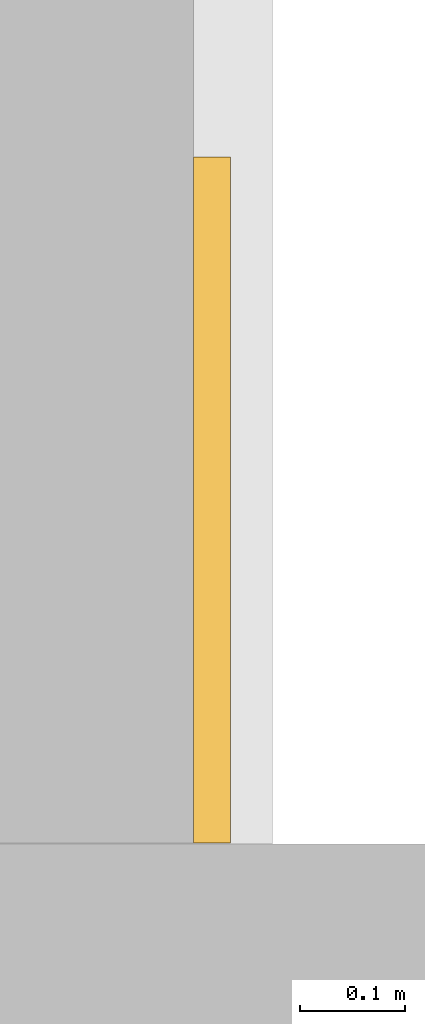
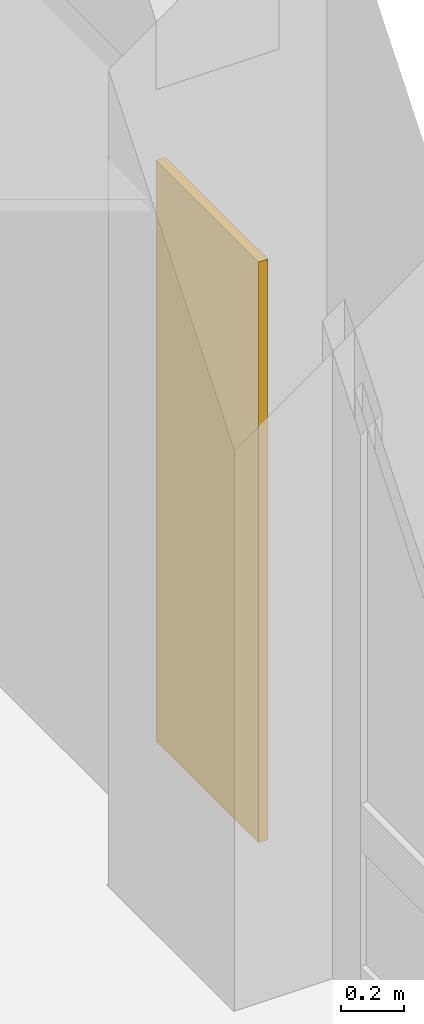
# One storey, part 111 of 132: 1 covering.
"""IFC4 building model written with IfcOpenShell, lengths in metres."""

from ifc_helpers import new_model, si_unit, direction, frame, origin, place, context, subcontext, project, spatial, polyline, outline, extrude, material, layer, layer_set, type_object, element, save


model = new_model("IFC4")

# Units and contexts
model_context = context("Model", 3, precision=1e-05, world=origin(), true_north=direction((0.0, 1.0)))
body_context = subcontext(model_context, "Body", "Model", "MODEL_VIEW")
ifc_project = project(units=[si_unit("LENGTHUNIT", "METRE"), si_unit("AREAUNIT", "SQUARE_METRE"), si_unit("VOLUMEUNIT", "CUBIC_METRE"), si_unit("PLANEANGLEUNIT", "RADIAN"), si_unit("MASSUNIT", "GRAM", prefix="KILO")], contexts=[model_context])

# Site, building, storey
site_placement = place(None, origin())
site = spatial("IfcSite", under=ifc_project, at=site_placement, CompositionType="ELEMENT")
building_placement = place(site_placement, origin())
building = spatial("IfcBuilding", under=site, at=building_placement, Name="Cumbredor Promenade Congress Hotel", CompositionType="ELEMENT")
storey_placement = place(building_placement, frame((0.0, 0.0, 7.56005859375)))
storey = spatial("IfcBuildingStorey", under=building, at=storey_placement, Name="L02", CompositionType="ELEMENT", Elevation=7.56005859375)

# Covering
ifc_material = material(Name="Volcanic andesite ashlar cladding", Category="masonry")
ifc_layer = layer(ifc_material, 0.034912109375, Name="Volcanic andesite ashlar cladding", Category="masonry")
ifc_layer_set = layer_set([ifc_layer], Name="Volcanic andesite ashlar cladding")
covering_type = type_object("IfcCoveringType", Name="Volcanic Andesite Ashlar Rainscreen Cladding 35mm", PredefinedType="CLADDING", material=ifc_layer_set)
covering_placement = place(storey_placement, origin())
element("IfcCovering", 1, at=covering_placement, inside=storey, type_object=covering_type, Name="L02 Facade Stone Cladding Pier 101", PredefinedType="CLADDING", context=body_context, shape_type="SweptSolid", body=[
    extrude(outline(polyline([(67.35009765625, 59.200927734375), (67.35009765625, 59.85107421875), (67.385009765625, 59.85107421875), (67.385009765625, 59.200927734375), (67.35009765625, 59.200927734375)])), origin(), (0.0, 0.0, 1.0), 2.25),
])

save(model, "model.ifc")
